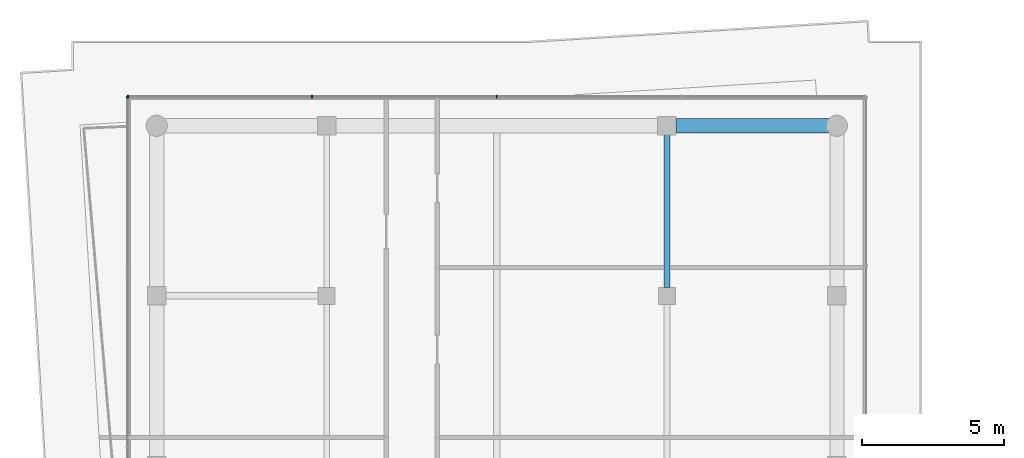
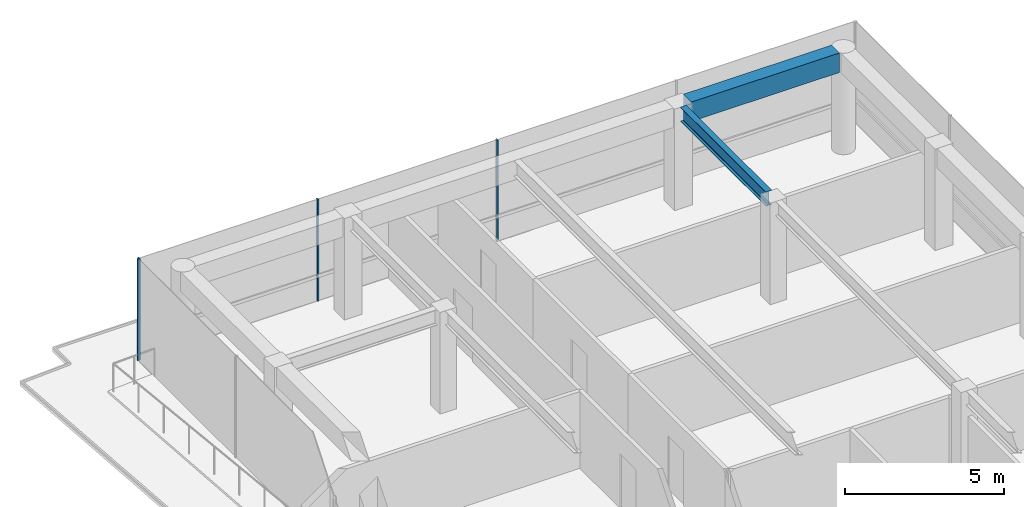
# One storey, part 15 of 22: 4 members, 2 beams, 2 elements without a shape of their own.
"""IFC4 building model written with IfcOpenShell, lengths in metres."""

from ifc_helpers import new_model, si_unit, direction, frame, origin, origin_2d, place, context, subcontext, project, spatial, rectangle, i_section, extrude, material, layer, layer_set, material_profile, profile_set, type_object, element, aggregate, save


model = new_model("IFC4")

# Units and contexts
model_context = context("Model", 3, precision=1e-05, world=origin(), true_north=direction((0.0, 1.0)))
body_context = subcontext(model_context, "Body", "Model", "MODEL_VIEW")
ifc_project = project(units=[si_unit("LENGTHUNIT", "METRE"), si_unit("AREAUNIT", "SQUARE_METRE"), si_unit("VOLUMEUNIT", "CUBIC_METRE"), si_unit("PLANEANGLEUNIT", "RADIAN"), si_unit("MASSUNIT", "GRAM", prefix="KILO")], contexts=[model_context])

# Site, building, storey
site_placement = place(None, origin())
site = spatial("IfcSite", under=ifc_project, at=site_placement, CompositionType="ELEMENT")
building_placement = place(site_placement, origin())
building = spatial("IfcBuilding", under=site, at=building_placement, Name="Welwitschia Terrace Campus", CompositionType="ELEMENT")
storey_placement = place(building_placement, frame((0.0, 0.0, 318.800048828125)))
storey = spatial("IfcBuildingStorey", under=building, at=storey_placement, Name="L71", CompositionType="ELEMENT", Elevation=318.800048828125)

# Beam
ifc_material_1 = material(Name="Steel S355", Category="steel")
ifc_material_profile_1 = material_profile(ifc_material_1, i_section(OverallWidth=0.2099609375, OverallDepth=0.550048828125, WebThickness=0.010986328125, FlangeThickness=0.01708984375, FilletRadius=0.02392578125, at=origin_2d()))
ifc_profile_set_1 = profile_set([ifc_material_profile_1], Name="Steel S355")
beam_type_1 = type_object("IfcBeamType", Name="Interior girder IPE 550", PredefinedType="BEAM", material=ifc_profile_set_1)
beam_1_placement = place(storey_placement, frame((18.0, 44.300537109375, 3.625), z_axis=(0.0, 1.0, 0.0), x_axis=(-1.0, 0.0, 0.0)))
element("IfcBeam", 1, at=beam_1_placement, inside=storey, type_object=beam_type_1, Name="Girder GB7", PredefinedType="BEAM", context=body_context, shape_type="SweptSolid", body=[
    extrude(i_section(OverallWidth=0.2099609375, OverallDepth=0.550048828125, WebThickness=0.010986328125, FlangeThickness=0.01708984375, FilletRadius=0.02392578125, at=origin_2d()), origin(), (0.0, 0.0, 1.0), 5.384033203125),
])

# Curtain wall, members
ifc_material_2 = material(Name="Bronze anodised aluminium", Category="aluminium")
ifc_layer = layer(ifc_material_2, 0.10009765625)
ifc_layer_set = layer_set([ifc_layer], Name="Bronze anodised aluminium")
curtain_wall_type = type_object("IfcCurtainWallType", Name="Curtain wall CW5 crown 6000", PredefinedType="NOTDEFINED", material=ifc_layer_set)
curtain_wall_1_placement = place(storey_placement, origin())
curtain_wall_1 = element("IfcCurtainWall", 2, at=curtain_wall_1_placement, inside=storey, type_object=curtain_wall_type, Name="CW L71.6.0", PredefinedType="NOTDEFINED")
ifc_material_3 = material(Name="Bronze anodised aluminium", Category="aluminium")
ifc_material_profile_2 = material_profile(ifc_material_3, rectangle(XDim=0.10009765625, YDim=0.050048828125, at=origin_2d()))
ifc_profile_set_2 = profile_set([ifc_material_profile_2], Name="Bronze anodised aluminium")
member_type = type_object("IfcMemberType", Name="Mullion 50x100", PredefinedType="MULLION", material=ifc_profile_set_2)
member_1_placement = place(storey_placement, frame((12.0, 51.030029296875, 0.0), z_axis=(0.0, 0.0, 1.0), x_axis=(0.0, -1.0, 0.0)))
member_1 = element("IfcMember", 3, at=member_1_placement, type_object=member_type, Name="Mullion L71.6.0.2", PredefinedType="MULLION", context=body_context, shape_type="SweptSolid", body=[
    extrude(rectangle(XDim=0.10009765625, YDim=0.050048828125, at=origin_2d()), origin(), (0.0, 0.0, 1.0), 3.89990234375),
])
member_2_placement = place(storey_placement, frame((5.485107421875, 51.030029296875, 0.0), z_axis=(0.0, 0.0, 1.0), x_axis=(0.0, -1.0, 0.0)))
member_2 = element("IfcMember", 4, at=member_2_placement, type_object=member_type, Name="Mullion L71.6.0.3", PredefinedType="MULLION", context=body_context, shape_type="SweptSolid", body=[
    extrude(rectangle(XDim=0.10009765625, YDim=0.050048828125, at=origin_2d()), origin(), (0.0, 0.0, 1.0), 3.89990234375),
])
member_3_placement = place(storey_placement, frame((-1.0048828125, 51.030029296875, 0.0), z_axis=(0.0, 0.0, 1.0), x_axis=(0.0, -1.0, 0.0)))
member_3 = element("IfcMember", 5, at=member_3_placement, type_object=member_type, Name="Mullion L71.6.0.4", PredefinedType="MULLION", context=body_context, shape_type="SweptSolid", body=[
    extrude(rectangle(XDim=0.10009765625, YDim=0.050048828125, at=origin_2d()), origin(), (0.0, 0.0, 1.0), 3.89990234375),
])
aggregate(curtain_wall_1, [member_1, member_2, member_3])

# Curtain wall, member
curtain_wall_2_placement = place(storey_placement, origin())
curtain_wall_2 = element("IfcCurtainWall", 6, at=curtain_wall_2_placement, inside=storey, type_object=curtain_wall_type, Name="CW L71.7.0", PredefinedType="NOTDEFINED")
member_4_placement = place(storey_placement, frame((-1.030029296875, 51.0048828125, 0.0), z_axis=(0.0, 0.0, 1.0), x_axis=(1.0, 0.0, 0.0)))
member_4 = element("IfcMember", 7, at=member_4_placement, type_object=member_type, Name="Mullion L71.7.0.0", PredefinedType="MULLION", context=body_context, shape_type="SweptSolid", body=[
    extrude(rectangle(XDim=0.10009765625, YDim=0.050048828125, at=origin_2d()), origin(), (0.0, 0.0, 1.0), 3.89990234375),
])
aggregate(curtain_wall_2, [member_4])

# Beam
ifc_material_4 = material(Name="Concrete C40/50", Category="concrete")
ifc_material_profile_3 = material_profile(ifc_material_4, rectangle(XDim=0.5, YDim=0.75, at=origin_2d()))
ifc_profile_set_3 = profile_set([ifc_material_profile_3], Name="Concrete C40/50")
beam_type_2 = type_object("IfcBeamType", Name="Ring spandrel 500x750", PredefinedType="SPANDREL", material=ifc_profile_set_3)
beam_2_placement = place(storey_placement, frame((23.719482421875, 50.0, 3.52490234375), z_axis=(-1.0, 0.0, 0.0), x_axis=(0.0, -1.0, 0.0)))
element("IfcBeam", 8, at=beam_2_placement, inside=storey, type_object=beam_type_2, Name="Spandrel SP5", PredefinedType="SPANDREL", context=body_context, shape_type="SweptSolid", body=[
    extrude(rectangle(XDim=0.5, YDim=0.75, at=origin_2d()), origin(), (0.0, 0.0, 1.0), 5.39404296875),
])

save(model, "model.ifc")
